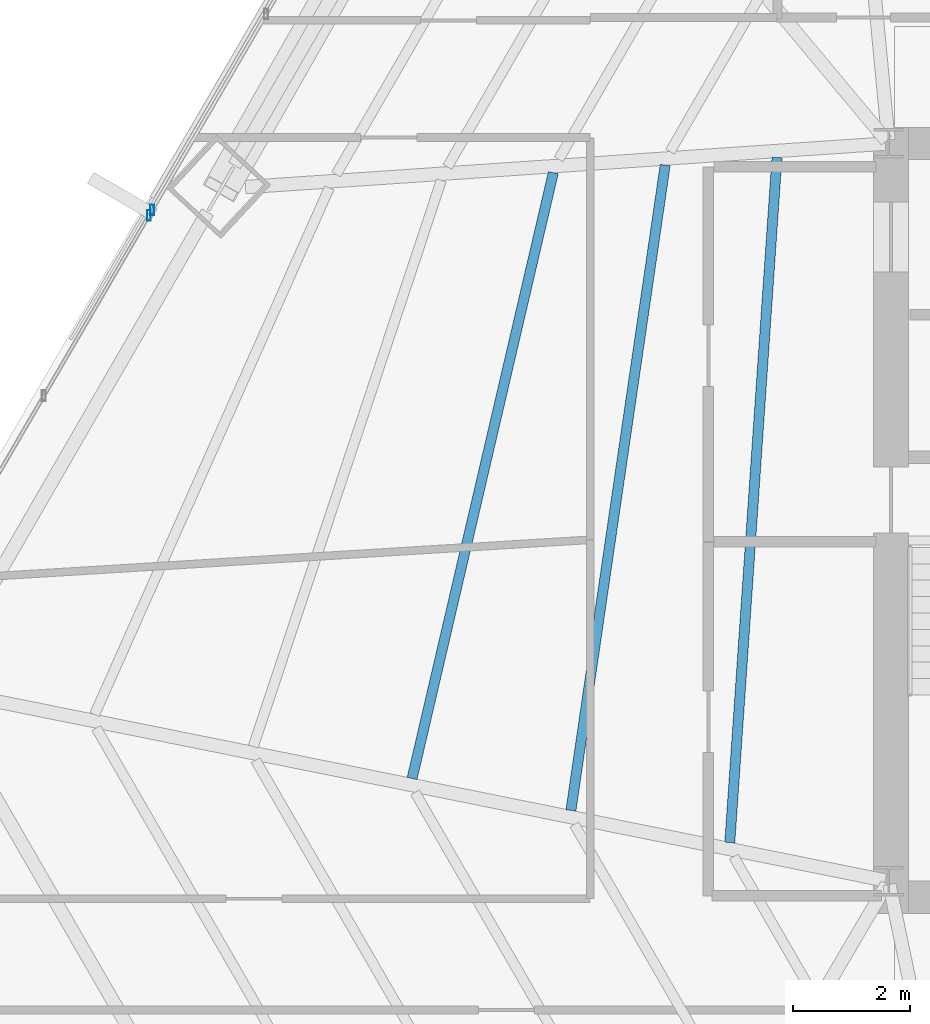
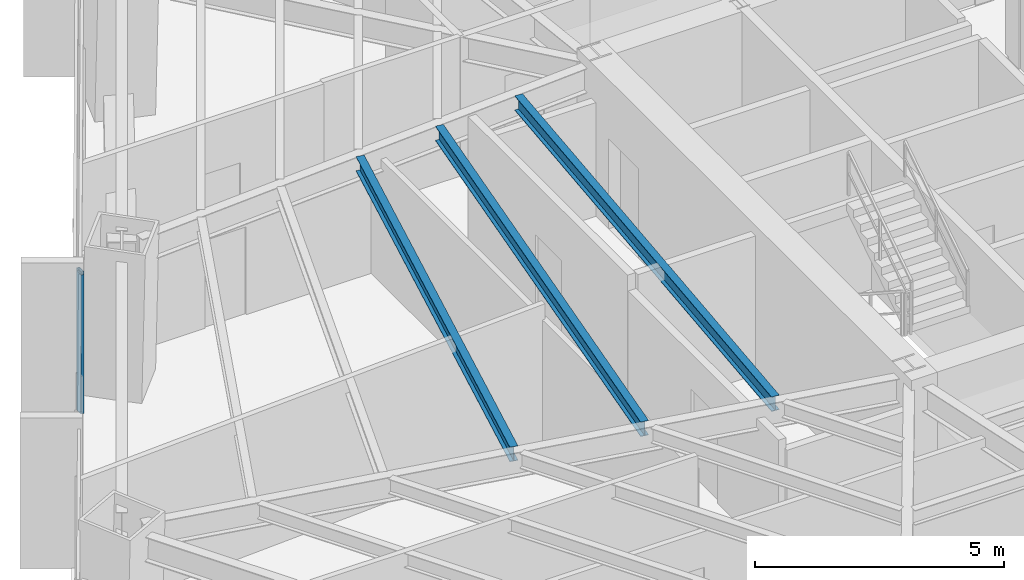
# One storey, part 9 of 33: 3 beams, 2 members, 2 elements without a shape of their own.
"""IFC4 building model written with IfcOpenShell, lengths in metres."""

import ifcopenshell
import ifcopenshell.guid

model = None  # the IFC model being written
_history = None  # IfcOwnerHistory: only IFC2X3 demands one
_inside = {}  # id of a spatial element -> (the spatial element, [elements in it])
_under = {}  # id of a project, library or spatial element -> (it, [spatial elements below it])
_declared = {}  # id of a project -> (the project, [libraries it declares])
_typed = {}  # id of a type object -> (the type object, [elements of that type])
_made_of = {}  # id of a material, layer set ... -> (it, [elements and type objects made of it])


def new_model(schema):
    """Start an empty IFC model of exactly this schema.

    Asked for "IFC4X3", IfcOpenShell would pick the latest addendum, in which some entities
    have other attributes; the version numbers below select the first issue.
    IFC2X3 requires an IfcOwnerHistory on every rooted entity: one is made here for all.
    """
    global model, _history
    if schema == "IFC4X3":
        model = ifcopenshell.file(schema_version=(4, 3, 0, 0))
    else:
        model = ifcopenshell.file(schema=schema)
    _inside.clear()
    _under.clear()
    _declared.clear()
    _typed.clear()
    _made_of.clear()
    _history = None
    if model.schema == "IFC2X3":
        org = make("IfcOrganization", Name="unknown")
        user = make(
            "IfcPersonAndOrganization",
            ThePerson=make("IfcPerson", FamilyName="unknown"),
            TheOrganization=org,
        )
        app = make(
            "IfcApplication",
            ApplicationDeveloper=org,
            Version="unknown",
            ApplicationFullName="unknown",
            ApplicationIdentifier="unknown",
        )
        _history = make(
            "IfcOwnerHistory",
            OwningUser=user,
            OwningApplication=app,
            ChangeAction="ADDED",
            CreationDate=0,
        )
    return model


def make(cls, **values):
    """One entity of the class cls with the attributes given. An attribute that is None is left unset."""
    return model.create_entity(
        cls, **{name: value for name, value in values.items() if value is not None}
    )


def rooted(cls, **values):
    """An entity with a GlobalId (a new one), such as an element, a storey or a relation."""
    return make(cls, GlobalId=ifcopenshell.guid.new(), OwnerHistory=_history, **values)


def si_unit(unit_type, name, prefix=None):
    """IfcSIUnit, for example si_unit("LENGTHUNIT", "METRE", prefix="MILLI")."""
    return make("IfcSIUnit", UnitType=unit_type, Prefix=prefix, Name=name)


def assignment(units):
    """IfcUnitAssignment: the units of a project."""
    return None if units is None else make("IfcUnitAssignment", Units=units)


def point(xyz):
    """IfcCartesianPoint."""
    return None if xyz is None else make("IfcCartesianPoint", Coordinates=xyz)


def direction(xyz):
    """IfcDirection."""
    return None if xyz is None else make("IfcDirection", DirectionRatios=xyz)


def frame(location, z_axis=None, x_axis=None):
    """IfcAxis2Placement3D, a coordinate frame: its origin and axes. An axis left out is left unset."""
    return make(
        "IfcAxis2Placement3D",
        Location=point(location),
        Axis=direction(z_axis),
        RefDirection=direction(x_axis),
    )


def frame_2d(location, x_axis=None):
    """IfcAxis2Placement2D, a coordinate frame in the plane: its origin and x axis."""
    return make(
        "IfcAxis2Placement2D", Location=point(location), RefDirection=direction(x_axis)
    )


def origin():
    """The frame at (0, 0, 0) with its axes left unset."""
    return frame((0.0, 0.0, 0.0))


def origin_2d():
    """The frame at (0, 0) in the plane with its x axis left unset."""
    return frame_2d((0.0, 0.0))


def place(relative_to, where):
    """IfcLocalPlacement: puts the frame where relative to a parent placement (None: the world)."""
    return make(
        "IfcLocalPlacement", PlacementRelTo=relative_to, RelativePlacement=where
    )


def context(
    kind, dimensions, precision=None, world=None, true_north=None, identifier=None
):
    """IfcGeometricRepresentationContext, for example the 3D "Model" context."""
    return make(
        "IfcGeometricRepresentationContext",
        ContextIdentifier=identifier,
        ContextType=kind,
        CoordinateSpaceDimension=dimensions,
        Precision=precision,
        WorldCoordinateSystem=world,
        TrueNorth=true_north,
    )


def subcontext(parent, identifier, kind, view, scale=None):
    """IfcGeometricRepresentationSubContext, for example "Body" below "Model"."""
    return make(
        "IfcGeometricRepresentationSubContext",
        ContextIdentifier=identifier,
        ContextType=kind,
        ParentContext=parent,
        TargetScale=scale,
        TargetView=view,
    )


def project(units=None, contexts=None):
    """IfcProject with its units and contexts."""
    return rooted(
        "IfcProject",
        Name="project",
        RepresentationContexts=contexts,
        UnitsInContext=assignment(units),
    )


def spatial(cls, under=None, at=None, **own):
    """A site, building, storey or space (cls), placed at a placement, below another one or the project."""
    s = rooted(cls, ObjectPlacement=at, **own)
    if under is not None:
        _under.setdefault(under.id(), (under, []))[1].append(s)
    return s


def profile(cls, at=None, kind="AREA", **sizes):
    """A parametric profile (cls). Its sizes go by their IFC names, for example OverallWidth=200.0."""
    return make(cls, ProfileType=kind, Position=at, **sizes)


def hollow_rectangle(**sizes):
    """IfcRectangleHollowProfileDef."""
    return profile("IfcRectangleHollowProfileDef", **sizes)


def i_section(**sizes):
    """IfcIShapeProfileDef."""
    return profile("IfcIShapeProfileDef", **sizes)


def extrude(swept, where, along, depth):
    """IfcExtrudedAreaSolid: the profile swept, set in the frame where, extruded along a direction by depth."""
    return make(
        "IfcExtrudedAreaSolid",
        SweptArea=swept,
        Position=where,
        ExtrudedDirection=direction(along),
        Depth=depth,
    )


def shape(context_of_items, identifier, shape_type, items):
    """IfcShapeRepresentation: the items that make up one representation, for example the "Body"."""
    return make(
        "IfcShapeRepresentation",
        ContextOfItems=context_of_items,
        RepresentationIdentifier=identifier,
        RepresentationType=shape_type,
        Items=items,
    )


def source(mapping_origin, context_of_items, identifier, shape_type, items):
    """IfcRepresentationMap: a shape defined once, which mapped items show again and again."""
    return make(
        "IfcRepresentationMap",
        MappingOrigin=mapping_origin,
        MappedRepresentation=shape(context_of_items, identifier, shape_type, items),
    )


def transform(
    local_origin,
    x_axis=None,
    y_axis=None,
    z_axis=None,
    scale=None,
    scale2=None,
    scale3=None,
    uniform=True,
):
    """IfcCartesianTransformationOperator3D, or its non-uniform kind. x_axis, y_axis, z_axis: its Axis1, 2, 3."""
    if uniform:
        return make(
            "IfcCartesianTransformationOperator3D",
            Axis1=direction(x_axis),
            Axis2=direction(y_axis),
            LocalOrigin=point(local_origin),
            Scale=scale,
            Axis3=direction(z_axis),
        )
    return make(
        "IfcCartesianTransformationOperator3DnonUniform",
        Axis1=direction(x_axis),
        Axis2=direction(y_axis),
        LocalOrigin=point(local_origin),
        Scale=scale,
        Axis3=direction(z_axis),
        Scale2=scale2,
        Scale3=scale3,
    )


def mapped(mapping_source, mapping_target):
    """IfcMappedItem: shows the shape of a source again, moved by a transform."""
    return make(
        "IfcMappedItem", MappingSource=mapping_source, MappingTarget=mapping_target
    )


def material(Name=None, Category=None):
    """IfcMaterial."""
    return make("IfcMaterial", Name=Name, Category=Category)


def material_profile(
    of_material, cross_section, Name=None, Category=None, Priority=None
):
    """IfcMaterialProfile: a cross section and its material."""
    return make(
        "IfcMaterialProfile",
        Name=Name,
        Material=of_material,
        Profile=cross_section,
        Priority=Priority,
        Category=Category,
    )


def profile_set(profiles, Name=None, composite=None):
    """IfcMaterialProfileSet."""
    return make(
        "IfcMaterialProfileSet",
        Name=Name,
        MaterialProfiles=profiles,
        CompositeProfile=composite,
    )


def made_of(thing, what):
    """Note that an element or type object is made of a material, layer set ...; save() writes the relation."""
    if what is not None:
        _made_of.setdefault(what.id(), (what, []))[1].append(thing)
    return thing


def type_object(cls, material=None, **own):
    """A type object (cls), such as IfcWallType, which elements share."""
    return made_of(rooted(cls, **own), material)


def type_shapes(of_type, sources):
    """Give a type object the sources (RepresentationMaps) that its elements show as mapped items."""
    of_type.RepresentationMaps = sources


def element(
    cls,
    number,
    at=None,
    inside=None,
    cuts=None,
    type_object=None,
    material=None,
    context=None,
    identifier="Body",
    shape_type=None,
    held_by="IfcProductDefinitionShape",
    body=None,
    shapes=None,
    **own,
):
    """One element of the class cls, such as IfcWall. Its Tag is "e" and its number.

    at: its placement. inside: the storey or other place that contains it. cuts: it is an
    opening in that element (IfcRelVoidsElement). A single representation is given by context,
    identifier, shape_type and body (its items); several are given by shapes. held_by: the class
    of the entity that holds the representations. save() writes the other relations.
    """
    e = rooted(cls, Tag="e%d" % number, ObjectPlacement=at, **own)
    if body is not None:
        shapes = [shape(context, identifier, shape_type, body)]
    if shapes is not None:
        e.Representation = make(held_by, Representations=shapes)
    if inside is not None:
        _inside.setdefault(inside.id(), (inside, []))[1].append(e)
    if cuts is not None:
        rooted(
            "IfcRelVoidsElement", RelatingBuildingElement=cuts, RelatedOpeningElement=e
        )
    if type_object is not None:
        _typed.setdefault(type_object.id(), (type_object, []))[1].append(e)
    return made_of(e, material)


def aggregate(whole, parts):
    """IfcRelAggregates: a whole, such as a stair, and the parts it consists of."""
    return rooted("IfcRelAggregates", RelatingObject=whole, RelatedObjects=parts)


def save(model, path):
    """Write the relations noted so far, then the file.

    IfcRelAggregates (storeys below a building ...), IfcRelContainedInSpatialStructure (elements
    in a storey), IfcRelDefinesByType, IfcRelAssociatesMaterial and IfcRelDeclares: one each for
    every whole, place, type object, material and project.
    """
    for whole, parts in _under.values():
        aggregate(whole, parts)
    for where, things in _inside.values():
        rooted(
            "IfcRelContainedInSpatialStructure",
            RelatedElements=things,
            RelatingStructure=where,
        )
    for kind, things in _typed.values():
        rooted("IfcRelDefinesByType", RelatedObjects=things, RelatingType=kind)
    for what, things in _made_of.values():
        rooted("IfcRelAssociatesMaterial", RelatedObjects=things, RelatingMaterial=what)
    for by, libraries in _declared.values():
        rooted("IfcRelDeclares", RelatingContext=by, RelatedDefinitions=libraries)
    model.write(path)


model = new_model("IFC4")

# Units and contexts
model_context = context("Model", 3, precision=1e-05, world=origin(), true_north=direction((0.0, 1.0)))
body_context = subcontext(model_context, "Body", "Model", "MODEL_VIEW")
ifc_project = project(units=[si_unit("LENGTHUNIT", "METRE"), si_unit("AREAUNIT", "SQUARE_METRE"), si_unit("VOLUMEUNIT", "CUBIC_METRE"), si_unit("PLANEANGLEUNIT", "RADIAN"), si_unit("MASSUNIT", "GRAM", prefix="KILO")], contexts=[model_context])

# Site, building, storey
site_placement = place(None, origin())
site = spatial("IfcSite", under=ifc_project, at=site_placement, CompositionType="ELEMENT")
building_placement = place(site_placement, origin())
building = spatial("IfcBuilding", under=site, at=building_placement, Name="Caelisora Broadcast Tower", CompositionType="ELEMENT")
storey_placement = place(building_placement, frame((0.0, 0.0, 34.89990234375)))
storey = spatial("IfcBuildingStorey", under=building, at=storey_placement, Name="L08", CompositionType="ELEMENT", Elevation=34.89990234375)

# Beams
ifc_material_1 = material(Name="Steel Grade 350 (AS/NZS 3679.1)", Category="steel")
ifc_material_profile_1 = material_profile(ifc_material_1, i_section(OverallWidth=0.172119140625, OverallDepth=0.358642578125, WebThickness=0.008056640625, FlangeThickness=0.012939453125, at=origin_2d()), Name="Steel Grade 350 (AS/NZS 3679.1)")
ifc_profile_set_1 = profile_set([ifc_material_profile_1], Name="Steel Grade 350 (AS/NZS 3679.1)")
beam_type = type_object("IfcBeamType", Name="SB02", PredefinedType="JOIST", material=ifc_profile_set_1)
shared_shape_1 = source(origin(), body_context, "Body", "SweptSolid", [
    extrude(i_section(OverallWidth=0.172119140625, OverallDepth=0.358642578125, WebThickness=0.008056640625, FlangeThickness=0.012939453125, at=origin_2d()), origin(), (0.0, 0.0, 1.0), 11.726318359375),
])
beam_1_placement = place(storey_placement, frame((28.591796875, 29.759033203125, 3.220703125), z_axis=(-0.068704916396, -0.997637025407, 0.0), x_axis=(0.997637025407, -0.068704916396, 0.0)))
element("IfcBeam", 1, at=beam_1_placement, inside=storey, type_object=beam_type, Name="L08 beam SB02", PredefinedType="JOIST", context=body_context, shape_type="MappedRepresentation", body=[
    mapped(shared_shape_1, transform((0.0, 0.0, 0.0), scale=1.0)),
])
shared_shape_2 = source(origin(), body_context, "Body", "SweptSolid", [
    extrude(i_section(OverallWidth=0.172119140625, OverallDepth=0.358642578125, WebThickness=0.008056640625, FlangeThickness=0.012939453125, at=origin_2d()), origin(), (0.0, 0.0, 1.0), 11.138916015625),
])
beam_2_placement = place(storey_placement, frame((26.6826171875, 29.62939453125, 3.220703125), z_axis=(-0.144525974388, -0.989501006936, 0.0), x_axis=(0.989501006936, -0.144525974388, 0.0)))
element("IfcBeam", 2, at=beam_2_placement, inside=storey, type_object=beam_type, Name="L08 beam SB02", PredefinedType="JOIST", context=body_context, shape_type="MappedRepresentation", body=[
    mapped(shared_shape_2, transform((0.0, 0.0, 0.0), scale=1.0)),
])
shared_shape_3 = source(origin(), body_context, "Body", "SweptSolid", [
    extrude(i_section(OverallWidth=0.172119140625, OverallDepth=0.358642578125, WebThickness=0.008056640625, FlangeThickness=0.012939453125, at=origin_2d()), origin(), (0.0, 0.0, 1.0), 10.62255859375),
])
type_shapes(beam_type, [shared_shape_1, shared_shape_2, shared_shape_3])
beam_3_placement = place(storey_placement, frame((24.77197265625, 29.499267578125, 3.220703125), z_axis=(-0.227027630178, -0.973888317589, 0.0), x_axis=(0.973888317589, -0.227027630178, 0.0)))
element("IfcBeam", 3, at=beam_3_placement, inside=storey, type_object=beam_type, Name="L08 beam SB02", PredefinedType="JOIST", context=body_context, shape_type="MappedRepresentation", body=[
    mapped(shared_shape_3, transform((0.0, 0.0, 0.0), scale=1.0)),
])

# Curtain wall, member
ifc_material_2 = material(Name="Unitised Aluminium and Low-E Glass Curtain Wall", Category="glass")
curtain_wall_type_1 = type_object("IfcCurtainWallType", Name="CW-Z1", PredefinedType="NOTDEFINED", material=ifc_material_2)
curtain_wall_1_placement = place(storey_placement, origin())
curtain_wall_1 = element("IfcCurtainWall", 4, at=curtain_wall_1_placement, inside=storey, type_object=curtain_wall_type_1, Name="L08 curtain wall CW-Z1", PredefinedType="NOTDEFINED")
ifc_material_3 = material(Name="Aluminium 6063-T6 Anodised Terracotta Bronze", Category="aluminium")
ifc_material_profile_2 = material_profile(ifc_material_3, hollow_rectangle(XDim=0.06494140625, YDim=0.179931640625, WallThickness=0.00341796875, at=origin_2d()), Name="Aluminium 6063-T6 Anodised Terracotta Bronze")
ifc_profile_set_2 = profile_set([ifc_material_profile_2], Name="Aluminium 6063-T6 Anodised Terracotta Bronze")
member_type = type_object("IfcMemberType", Name="CWM-02", PredefinedType="MULLION", material=ifc_profile_set_2)
shared_shape_4 = source(origin(), body_context, "Body", "SweptSolid", [
    extrude(hollow_rectangle(XDim=0.06494140625, YDim=0.179931640625, WallThickness=0.00341796875, at=origin_2d()), origin(), (0.0, 0.0, 1.0), 3.400146484375),
])
type_shapes(member_type, [shared_shape_4])
member_1_placement = place(storey_placement, frame((17.86572265625, 28.7685546875, 0.0), z_axis=(0.0, 0.0, 1.0), x_axis=(1.0, 0.0, 0.0)))
member_1 = element("IfcMember", 5, at=member_1_placement, type_object=member_type, Name="L08-CW-B09 mullion #3", PredefinedType="MULLION", context=body_context, shape_type="MappedRepresentation", body=[
    mapped(shared_shape_4, transform((0.0, 0.0, 0.0), scale=1.0)),
])
aggregate(curtain_wall_1, [member_1])

ifc_material_4 = material(Name="Unitised Aluminium Insulated Shadow-Box Spandrel Curtain Wall", Category="aluminium")
curtain_wall_type_2 = type_object("IfcCurtainWallType", Name="CW-SP1", PredefinedType="NOTDEFINED", material=ifc_material_4)
curtain_wall_2_placement = place(storey_placement, origin())
curtain_wall_2 = element("IfcCurtainWall", 6, at=curtain_wall_2_placement, inside=storey, type_object=curtain_wall_type_2, Name="L08 curtain wall CW-SP1", PredefinedType="NOTDEFINED")
member_2_placement = place(storey_placement, frame((17.921142578125, 28.86376953125, 0.0), z_axis=(0.0, 0.0, 1.0), x_axis=(1.0, 0.0, 0.0)))
member_2 = element("IfcMember", 7, at=member_2_placement, type_object=member_type, Name="L08-CW-B10 mullion #0", PredefinedType="MULLION", context=body_context, shape_type="MappedRepresentation", body=[
    mapped(shared_shape_4, transform((0.0, 0.0, 0.0), scale=1.0)),
])
aggregate(curtain_wall_2, [member_2])

save(model, "model.ifc")
